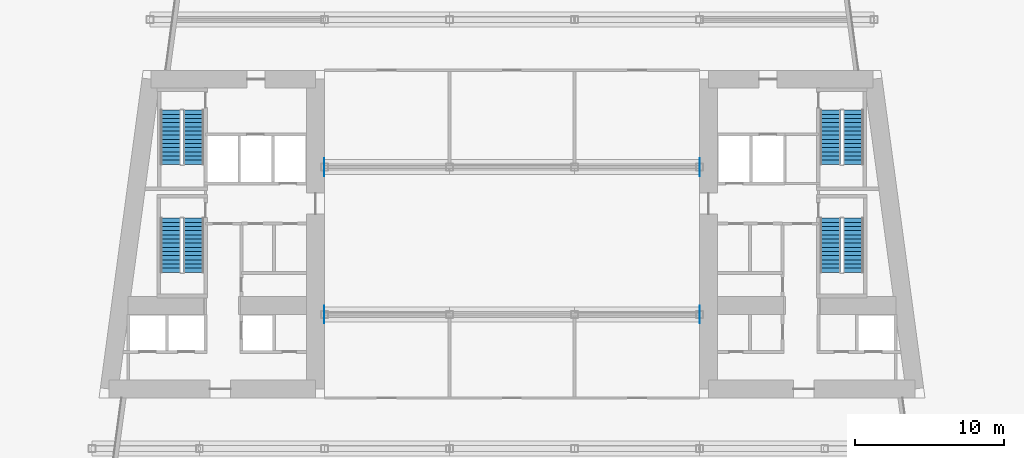
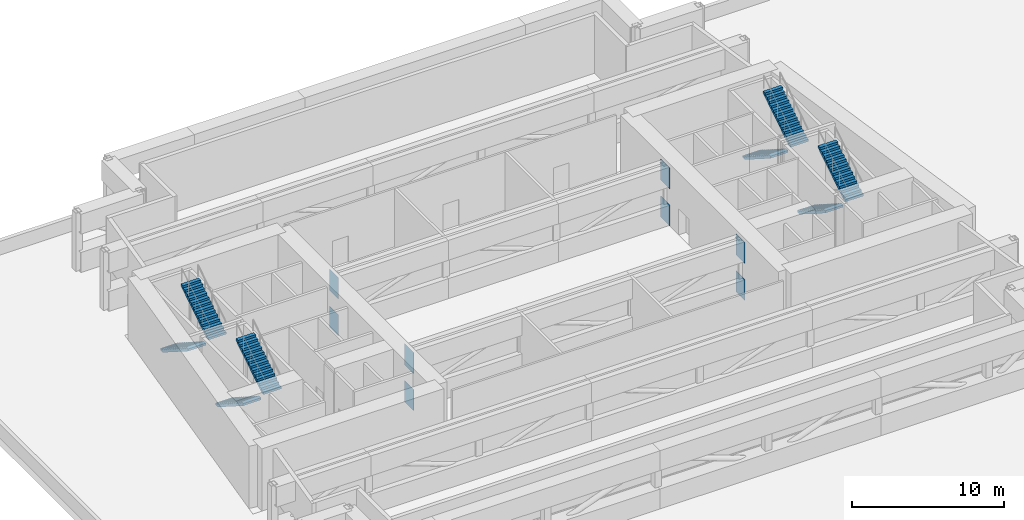
# One storey, part 21 of 26: 8 discrete accessories, 8 stair flights, 4 elements without a shape of their own.
"""IFC4 building model written with IfcOpenShell, lengths in metres."""

from ifc_helpers import new_model, si_unit, direction, frame, origin, origin_2d, place, context, subcontext, project, spatial, polyline, rectangle, outline, extrude, material, layer, layer_set, type_object, element, aggregate, save


model = new_model("IFC4")

# Units and contexts
model_context = context("Model", 3, precision=1e-05, world=origin(), true_north=direction((0.0, 1.0)))
body_context = subcontext(model_context, "Body", "Model", "MODEL_VIEW")
ifc_project = project(units=[si_unit("LENGTHUNIT", "METRE"), si_unit("AREAUNIT", "SQUARE_METRE"), si_unit("VOLUMEUNIT", "CUBIC_METRE"), si_unit("PLANEANGLEUNIT", "RADIAN"), si_unit("MASSUNIT", "GRAM", prefix="KILO")], contexts=[model_context])

# Site, building, storey
site_placement = place(None, origin())
site = spatial("IfcSite", under=ifc_project, at=site_placement, CompositionType="ELEMENT")
building_placement = place(site_placement, origin())
building = spatial("IfcBuilding", under=site, at=building_placement, Name="Candeia Pilgrim Tower and Theatre", CompositionType="ELEMENT")
storey_placement = place(building_placement, frame((0.0, 0.0, 34.0)))
storey = spatial("IfcBuildingStorey", under=building, at=storey_placement, Name="L05", CompositionType="ELEMENT", Elevation=34.0)

# Stair, stair flights
ifc_material_1 = material(Name="Concrete C40/50", Category="concrete")
stair_type = type_object("IfcStairType", Name="ST-TWR dog-leg escape stair", PredefinedType="HALF_TURN_STAIR", material=ifc_material_1)
stair_1_placement = place(storey_placement, origin())
stair_1 = element("IfcStair", 1, at=stair_1_placement, inside=storey, type_object=stair_type, Name="L05 Escape stair ST1", PredefinedType="HALF_TURN_STAIR")
stair_flight_type = type_object("IfcStairFlightType", Name="SFL-RC stair flight", PredefinedType="STRAIGHT", material=ifc_material_1)
stair_flight_1_placement = place(storey_placement, frame((90.47705078125, 122.47509765625, 0.0), z_axis=(0.0, 0.0, 1.0), x_axis=(0.0, -1.0, 0.0)))
stair_flight_1 = element("IfcStairFlight", 2, at=stair_flight_1_placement, type_object=stair_flight_type, Name="ST1 flight 1", NumberOfRisers=14, NumberOfTreads=13, PredefinedType="STRAIGHT", RiserHeight=0.178571429, TreadLength=0.28, context=body_context, shape_type="SweptSolid", body=[
    extrude(outline(polyline([(0.0, 0.0), (0.0, 0.178466796875), (0.280029296875, 0.178466796875), (0.280029296875, 0.357177734375), (0.56005859375, 0.357177734375), (0.56005859375, 0.53564453125), (0.840087890625, 0.53564453125), (0.840087890625, 0.71435546875), (1.1201171875, 0.71435546875), (1.1201171875, 0.892822265625), (1.39990234375, 0.892822265625), (1.39990234375, 1.071533203125), (1.679931640625, 1.071533203125), (1.679931640625, 1.25), (1.9599609375, 1.25), (1.9599609375, 1.428466796875), (2.239990234375, 1.428466796875), (2.239990234375, 1.607177734375), (2.52001953125, 1.607177734375), (2.52001953125, 1.78564453125), (2.800048828125, 1.78564453125), (2.800048828125, 1.96435546875), (3.080078125, 1.96435546875), (3.080078125, 2.142822265625), (3.360107421875, 2.142822265625), (3.360107421875, 2.321533203125), (3.639892578125, 2.321533203125), (3.639892578125, 2.5), (3.639892578125, 2.1435546875), (0.27880859375, 0.0), (0.0, 0.0)])), frame((0.0, 0.675048828125, 0.0), z_axis=(0.0, -1.0, 0.0), x_axis=(1.0, 0.0, 0.0)), (0.0, 0.0, 1.0), 1.35009765625),
])
stair_flight_2_placement = place(storey_placement, frame((92.027099609375, 118.8349609375, 2.5), z_axis=(0.0, 0.0, 1.0), x_axis=(0.0, 1.0, 0.0)))
stair_flight_2 = element("IfcStairFlight", 3, at=stair_flight_2_placement, type_object=stair_flight_type, Name="ST1 flight 2", NumberOfRisers=14, NumberOfTreads=13, PredefinedType="STRAIGHT", RiserHeight=0.178571429, TreadLength=0.28, context=body_context, shape_type="SweptSolid", body=[
    extrude(outline(polyline([(0.0, 0.0), (0.0, 0.178466796875), (0.280029296875, 0.178466796875), (0.280029296875, 0.357177734375), (0.56005859375, 0.357177734375), (0.56005859375, 0.53564453125), (0.840087890625, 0.53564453125), (0.840087890625, 0.71435546875), (1.1201171875, 0.71435546875), (1.1201171875, 0.892822265625), (1.39990234375, 0.892822265625), (1.39990234375, 1.071533203125), (1.679931640625, 1.071533203125), (1.679931640625, 1.25), (1.9599609375, 1.25), (1.9599609375, 1.428466796875), (2.239990234375, 1.428466796875), (2.239990234375, 1.607177734375), (2.52001953125, 1.607177734375), (2.52001953125, 1.78564453125), (2.800048828125, 1.78564453125), (2.800048828125, 1.96435546875), (3.080078125, 1.96435546875), (3.080078125, 2.142822265625), (3.360107421875, 2.142822265625), (3.360107421875, 2.321533203125), (3.639892578125, 2.321533203125), (3.639892578125, 2.5), (3.639892578125, 2.1435546875), (0.27880859375, 0.0), (0.0, 0.0)])), frame((0.0, 0.675048828125, 0.0), z_axis=(0.0, -1.0, 0.0), x_axis=(1.0, 0.0, 0.0)), (0.0, 0.0, 1.0), 1.35009765625),
])
aggregate(stair_1, [stair_flight_1, stair_flight_2])

stair_2_placement = place(storey_placement, origin())
stair_2 = element("IfcStair", 4, at=stair_2_placement, inside=storey, type_object=stair_type, Name="L05 Escape stair ST2", PredefinedType="HALF_TURN_STAIR")
stair_flight_3_placement = place(storey_placement, frame((90.47705078125, 129.72509765625, 0.0), z_axis=(0.0, 0.0, 1.0), x_axis=(0.0, -1.0, 0.0)))
stair_flight_3 = element("IfcStairFlight", 5, at=stair_flight_3_placement, type_object=stair_flight_type, Name="ST2 flight 1", NumberOfRisers=14, NumberOfTreads=13, PredefinedType="STRAIGHT", RiserHeight=0.178571429, TreadLength=0.28, context=body_context, shape_type="SweptSolid", body=[
    extrude(outline(polyline([(0.0, 0.0), (0.0, 0.178466796875), (0.280029296875, 0.178466796875), (0.280029296875, 0.357177734375), (0.56005859375, 0.357177734375), (0.56005859375, 0.53564453125), (0.840087890625, 0.53564453125), (0.840087890625, 0.71435546875), (1.1201171875, 0.71435546875), (1.1201171875, 0.892822265625), (1.39990234375, 0.892822265625), (1.39990234375, 1.071533203125), (1.679931640625, 1.071533203125), (1.679931640625, 1.25), (1.9599609375, 1.25), (1.9599609375, 1.428466796875), (2.239990234375, 1.428466796875), (2.239990234375, 1.607177734375), (2.52001953125, 1.607177734375), (2.52001953125, 1.78564453125), (2.800048828125, 1.78564453125), (2.800048828125, 1.96435546875), (3.080078125, 1.96435546875), (3.080078125, 2.142822265625), (3.360107421875, 2.142822265625), (3.360107421875, 2.321533203125), (3.639892578125, 2.321533203125), (3.639892578125, 2.5), (3.639892578125, 2.1435546875), (0.27880859375, 0.0), (0.0, 0.0)])), frame((0.0, 0.675048828125, 0.0), z_axis=(0.0, -1.0, 0.0), x_axis=(1.0, 0.0, 0.0)), (0.0, 0.0, 1.0), 1.35009765625),
])
stair_flight_4_placement = place(storey_placement, frame((92.027099609375, 126.0849609375, 2.5), z_axis=(0.0, 0.0, 1.0), x_axis=(0.0, 1.0, 0.0)))
stair_flight_4 = element("IfcStairFlight", 6, at=stair_flight_4_placement, type_object=stair_flight_type, Name="ST2 flight 2", NumberOfRisers=14, NumberOfTreads=13, PredefinedType="STRAIGHT", RiserHeight=0.178571429, TreadLength=0.28, context=body_context, shape_type="SweptSolid", body=[
    extrude(outline(polyline([(0.0, 0.0), (0.0, 0.178466796875), (0.280029296875, 0.178466796875), (0.280029296875, 0.357177734375), (0.56005859375, 0.357177734375), (0.56005859375, 0.53564453125), (0.840087890625, 0.53564453125), (0.840087890625, 0.71435546875), (1.1201171875, 0.71435546875), (1.1201171875, 0.892822265625), (1.39990234375, 0.892822265625), (1.39990234375, 1.071533203125), (1.679931640625, 1.071533203125), (1.679931640625, 1.25), (1.9599609375, 1.25), (1.9599609375, 1.428466796875), (2.239990234375, 1.428466796875), (2.239990234375, 1.607177734375), (2.52001953125, 1.607177734375), (2.52001953125, 1.78564453125), (2.800048828125, 1.78564453125), (2.800048828125, 1.96435546875), (3.080078125, 1.96435546875), (3.080078125, 2.142822265625), (3.360107421875, 2.142822265625), (3.360107421875, 2.321533203125), (3.639892578125, 2.321533203125), (3.639892578125, 2.5), (3.639892578125, 2.1435546875), (0.27880859375, 0.0), (0.0, 0.0)])), frame((0.0, 0.675048828125, 0.0), z_axis=(0.0, -1.0, 0.0), x_axis=(1.0, 0.0, 0.0)), (0.0, 0.0, 1.0), 1.35009765625),
])
aggregate(stair_2, [stair_flight_3, stair_flight_4])

stair_3_placement = place(storey_placement, origin())
stair_3 = element("IfcStair", 7, at=stair_3_placement, inside=storey, type_object=stair_type, Name="L05 Escape stair ST3", PredefinedType="HALF_TURN_STAIR")
stair_flight_5_placement = place(storey_placement, frame((134.77294921875, 122.47509765625, 0.0), z_axis=(0.0, 0.0, 1.0), x_axis=(0.0, -1.0, 0.0)))
stair_flight_5 = element("IfcStairFlight", 8, at=stair_flight_5_placement, type_object=stair_flight_type, Name="ST3 flight 1", NumberOfRisers=14, NumberOfTreads=13, PredefinedType="STRAIGHT", RiserHeight=0.178571429, TreadLength=0.28, context=body_context, shape_type="SweptSolid", body=[
    extrude(outline(polyline([(0.0, 0.0), (0.0, 0.178466796875), (0.280029296875, 0.178466796875), (0.280029296875, 0.357177734375), (0.56005859375, 0.357177734375), (0.56005859375, 0.53564453125), (0.840087890625, 0.53564453125), (0.840087890625, 0.71435546875), (1.1201171875, 0.71435546875), (1.1201171875, 0.892822265625), (1.39990234375, 0.892822265625), (1.39990234375, 1.071533203125), (1.679931640625, 1.071533203125), (1.679931640625, 1.25), (1.9599609375, 1.25), (1.9599609375, 1.428466796875), (2.239990234375, 1.428466796875), (2.239990234375, 1.607177734375), (2.52001953125, 1.607177734375), (2.52001953125, 1.78564453125), (2.800048828125, 1.78564453125), (2.800048828125, 1.96435546875), (3.080078125, 1.96435546875), (3.080078125, 2.142822265625), (3.360107421875, 2.142822265625), (3.360107421875, 2.321533203125), (3.639892578125, 2.321533203125), (3.639892578125, 2.5), (3.639892578125, 2.1435546875), (0.27880859375, 0.0), (0.0, 0.0)])), frame((0.0, 0.675048828125, 0.0), z_axis=(0.0, -1.0, 0.0), x_axis=(1.0, 0.0, 0.0)), (0.0, 0.0, 1.0), 1.35009765625),
])
stair_flight_6_placement = place(storey_placement, frame((136.322998046875, 118.8349609375, 2.5), z_axis=(0.0, 0.0, 1.0), x_axis=(0.0, 1.0, 0.0)))
stair_flight_6 = element("IfcStairFlight", 9, at=stair_flight_6_placement, type_object=stair_flight_type, Name="ST3 flight 2", NumberOfRisers=14, NumberOfTreads=13, PredefinedType="STRAIGHT", RiserHeight=0.178571429, TreadLength=0.28, context=body_context, shape_type="SweptSolid", body=[
    extrude(outline(polyline([(0.0, 0.0), (0.0, 0.178466796875), (0.280029296875, 0.178466796875), (0.280029296875, 0.357177734375), (0.56005859375, 0.357177734375), (0.56005859375, 0.53564453125), (0.840087890625, 0.53564453125), (0.840087890625, 0.71435546875), (1.1201171875, 0.71435546875), (1.1201171875, 0.892822265625), (1.39990234375, 0.892822265625), (1.39990234375, 1.071533203125), (1.679931640625, 1.071533203125), (1.679931640625, 1.25), (1.9599609375, 1.25), (1.9599609375, 1.428466796875), (2.239990234375, 1.428466796875), (2.239990234375, 1.607177734375), (2.52001953125, 1.607177734375), (2.52001953125, 1.78564453125), (2.800048828125, 1.78564453125), (2.800048828125, 1.96435546875), (3.080078125, 1.96435546875), (3.080078125, 2.142822265625), (3.360107421875, 2.142822265625), (3.360107421875, 2.321533203125), (3.639892578125, 2.321533203125), (3.639892578125, 2.5), (3.639892578125, 2.1435546875), (0.27880859375, 0.0), (0.0, 0.0)])), frame((0.0, 0.675048828125, 0.0), z_axis=(0.0, -1.0, 0.0), x_axis=(1.0, 0.0, 0.0)), (0.0, 0.0, 1.0), 1.35009765625),
])
aggregate(stair_3, [stair_flight_5, stair_flight_6])

stair_4_placement = place(storey_placement, origin())
stair_4 = element("IfcStair", 10, at=stair_4_placement, inside=storey, type_object=stair_type, Name="L05 Escape stair ST4", PredefinedType="HALF_TURN_STAIR")
stair_flight_7_placement = place(storey_placement, frame((134.77294921875, 129.72509765625, 0.0), z_axis=(0.0, 0.0, 1.0), x_axis=(0.0, -1.0, 0.0)))
stair_flight_7 = element("IfcStairFlight", 11, at=stair_flight_7_placement, type_object=stair_flight_type, Name="ST4 flight 1", NumberOfRisers=14, NumberOfTreads=13, PredefinedType="STRAIGHT", RiserHeight=0.178571429, TreadLength=0.28, context=body_context, shape_type="SweptSolid", body=[
    extrude(outline(polyline([(0.0, 0.0), (0.0, 0.178466796875), (0.280029296875, 0.178466796875), (0.280029296875, 0.357177734375), (0.56005859375, 0.357177734375), (0.56005859375, 0.53564453125), (0.840087890625, 0.53564453125), (0.840087890625, 0.71435546875), (1.1201171875, 0.71435546875), (1.1201171875, 0.892822265625), (1.39990234375, 0.892822265625), (1.39990234375, 1.071533203125), (1.679931640625, 1.071533203125), (1.679931640625, 1.25), (1.9599609375, 1.25), (1.9599609375, 1.428466796875), (2.239990234375, 1.428466796875), (2.239990234375, 1.607177734375), (2.52001953125, 1.607177734375), (2.52001953125, 1.78564453125), (2.800048828125, 1.78564453125), (2.800048828125, 1.96435546875), (3.080078125, 1.96435546875), (3.080078125, 2.142822265625), (3.360107421875, 2.142822265625), (3.360107421875, 2.321533203125), (3.639892578125, 2.321533203125), (3.639892578125, 2.5), (3.639892578125, 2.1435546875), (0.27880859375, 0.0), (0.0, 0.0)])), frame((0.0, 0.675048828125, 0.0), z_axis=(0.0, -1.0, 0.0), x_axis=(1.0, 0.0, 0.0)), (0.0, 0.0, 1.0), 1.35009765625),
])
stair_flight_8_placement = place(storey_placement, frame((136.322998046875, 126.0849609375, 2.5), z_axis=(0.0, 0.0, 1.0), x_axis=(0.0, 1.0, 0.0)))
stair_flight_8 = element("IfcStairFlight", 12, at=stair_flight_8_placement, type_object=stair_flight_type, Name="ST4 flight 2", NumberOfRisers=14, NumberOfTreads=13, PredefinedType="STRAIGHT", RiserHeight=0.178571429, TreadLength=0.28, context=body_context, shape_type="SweptSolid", body=[
    extrude(outline(polyline([(0.0, 0.0), (0.0, 0.178466796875), (0.280029296875, 0.178466796875), (0.280029296875, 0.357177734375), (0.56005859375, 0.357177734375), (0.56005859375, 0.53564453125), (0.840087890625, 0.53564453125), (0.840087890625, 0.71435546875), (1.1201171875, 0.71435546875), (1.1201171875, 0.892822265625), (1.39990234375, 0.892822265625), (1.39990234375, 1.071533203125), (1.679931640625, 1.071533203125), (1.679931640625, 1.25), (1.9599609375, 1.25), (1.9599609375, 1.428466796875), (2.239990234375, 1.428466796875), (2.239990234375, 1.607177734375), (2.52001953125, 1.607177734375), (2.52001953125, 1.78564453125), (2.800048828125, 1.78564453125), (2.800048828125, 1.96435546875), (3.080078125, 1.96435546875), (3.080078125, 2.142822265625), (3.360107421875, 2.142822265625), (3.360107421875, 2.321533203125), (3.639892578125, 2.321533203125), (3.639892578125, 2.5), (3.639892578125, 2.1435546875), (0.27880859375, 0.0), (0.0, 0.0)])), frame((0.0, 0.675048828125, 0.0), z_axis=(0.0, -1.0, 0.0), x_axis=(1.0, 0.0, 0.0)), (0.0, 0.0, 1.0), 1.35009765625),
])
aggregate(stair_4, [stair_flight_7, stair_flight_8])

# Discrete accessories
ifc_material_2 = material(Name="Structural steel ASTM A572 Grade 50", Category="steel")
ifc_layer = layer(ifc_material_2, 0.02001953125)
ifc_layer_set = layer_set([ifc_layer], Name="Embed plate 20 steel")
discrete_accessory_type = type_object("IfcDiscreteAccessoryType", Name="Embed plate 20 steel", PredefinedType="BRACKET", material=ifc_layer_set)
for number, where, z_axis, x_axis, name in (
    (13, (100.7900390625, 116.0, 0.0), (0.0, 0.0, 1.0), (0.0, -1.0, 0.0), "Embed plate TT-C"),
    (14, (100.7900390625, 116.0, 2.97998046875), (0.0, 0.0, 1.0), (0.0, -1.0, 0.0), "Embed plate TT-C"),
    (15, (126.010009765625, 116.0, 0.0), (0.0, 0.0, 1.0), (0.0, 1.0, 0.0), "Embed plate TT-C"),
    (16, (126.010009765625, 116.0, 2.97998046875), (0.0, 0.0, 1.0), (0.0, 1.0, 0.0), "Embed plate TT-C"),
    (17, (100.7900390625, 125.89990234375, 0.0), (0.0, 0.0, 1.0), (0.0, -1.0, 0.0), "Embed plate TT-D"),
    (18, (100.7900390625, 125.89990234375, 2.97998046875), (0.0, 0.0, 1.0), (0.0, -1.0, 0.0), "Embed plate TT-D"),
    (19, (126.010009765625, 125.89990234375, 0.0), (0.0, 0.0, 1.0), (0.0, 1.0, 0.0), "Embed plate TT-D"),
    (20, (126.010009765625, 125.89990234375, 2.97998046875), (0.0, 0.0, 1.0), (0.0, 1.0, 0.0), "Embed plate TT-D"),
):
    element("IfcDiscreteAccessory", number, at=place(storey_placement, frame(where, z_axis=z_axis, x_axis=x_axis)), inside=storey, type_object=discrete_accessory_type, Name=name, PredefinedType="BRACKET", context=body_context, shape_type="SweptSolid", body=[
        extrude(rectangle(XDim=1.199951171875, YDim=0.02001953125, at=origin_2d()), origin(), (0.0, 0.0, 1.0), 1.699951171875),
    ])

save(model, "model.ifc")
